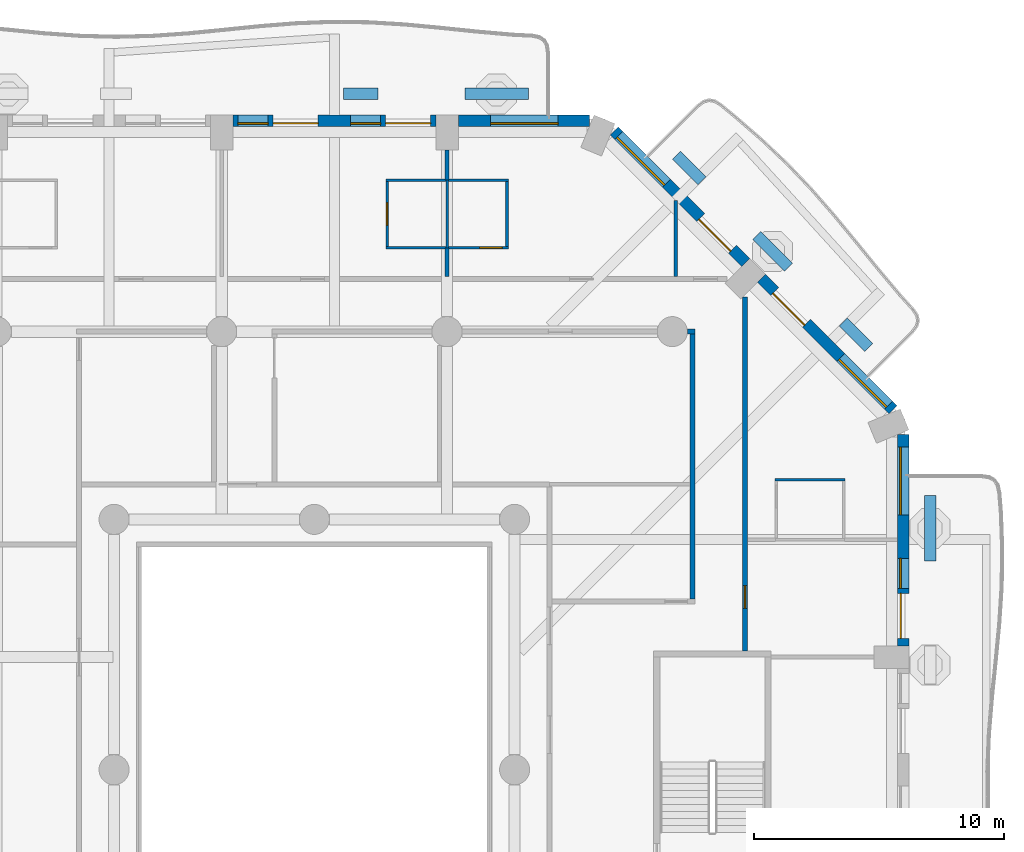
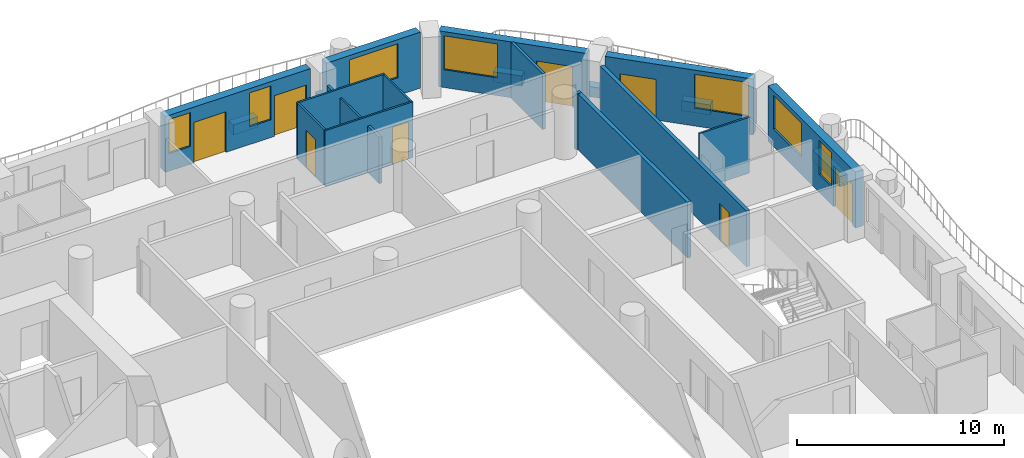
# One storey, part 9 of 19: 23 walls, 8 doors, 7 windows, 15 openings.
"""IFC4 building model written with IfcOpenShell, lengths in metres."""

from ifc_helpers import new_model, si_unit, direction, frame, frame_2d, origin, place, context, subcontext, project, spatial, rectangle, extrude, material, layer, layer_set, type_object, element, fill, save


model = new_model("IFC4")

# Units and contexts
model_context = context("Model", 3, precision=1e-05, world=origin(), true_north=direction((0.0, 1.0)))
body_context = subcontext(model_context, "Body", "Model", "MODEL_VIEW")
ifc_project = project(units=[si_unit("LENGTHUNIT", "METRE"), si_unit("AREAUNIT", "SQUARE_METRE"), si_unit("VOLUMEUNIT", "CUBIC_METRE"), si_unit("PLANEANGLEUNIT", "RADIAN"), si_unit("MASSUNIT", "GRAM", prefix="KILO")], contexts=[model_context])

# Site, building, storey
site_placement = place(None, origin())
site = spatial("IfcSite", under=ifc_project, at=site_placement, CompositionType="ELEMENT")
building_placement = place(site_placement, origin())
building = spatial("IfcBuilding", under=site, at=building_placement, Name="Cypress Arch Tower", CompositionType="ELEMENT")
storey_placement = place(building_placement, frame((0.0, 0.0, 66.300048828125)))
storey = spatial("IfcBuildingStorey", under=building, at=storey_placement, Name="L10", CompositionType="ELEMENT", Elevation=66.300048828125)

# Walls
ifc_material_1 = material(Name="Concrete C40/50, waterproofed", Category="concrete")
ifc_layer_1 = layer(ifc_material_1, 0.449951171875)
ifc_layer_set_1 = layer_set([ifc_layer_1], Name="Balcony planter wall PW450")
wall_type_1 = type_object("IfcWallType", Name="Balcony planter wall PW450", PredefinedType="SOLIDWALL", material=ifc_layer_set_1)
wall_1_placement = place(storey_placement, frame((25.60009765625, 8.335693359375, 0.0), z_axis=(0.0, 0.0, 1.0), x_axis=(0.0, 1.0, 0.0)))
element("IfcWall", 1, at=wall_1_placement, inside=storey, type_object=wall_type_1, Name="Balcony planter wall L10-A06.3", PredefinedType="SOLIDWALL", context=body_context, shape_type="SweptSolid", body=[
    extrude(rectangle(XDim=2.6142578125, YDim=0.449951171875, at=frame_2d((1.30712890625, 0.0))), origin(), (0.0, 0.0, 1.0), 0.599853515625),
])
wall_2_placement = place(storey_placement, frame((23.150390625, 16.86376953125, 0.0), z_axis=(0.0, 0.0, 1.0), x_axis=(-0.707106781187, 0.707106781187, 0.0)))
element("IfcWall", 2, at=wall_2_placement, inside=storey, type_object=wall_type_1, Name="Balcony planter wall L10-A07.1", PredefinedType="SOLIDWALL", context=body_context, shape_type="SweptSolid", body=[
    extrude(rectangle(XDim=1.44482421875, YDim=0.449951171875, at=frame_2d((0.722412109375, 0.0))), origin(), (0.0, 0.0, 1.0), 0.599853515625),
])
wall_3_placement = place(storey_placement, frame((19.9365234375, 20.07763671875, 0.0), z_axis=(0.0, 0.0, 1.0), x_axis=(-0.707106781187, 0.707106781187, 0.0)))
element("IfcWall", 3, at=wall_3_placement, inside=storey, type_object=wall_type_1, Name="Balcony planter wall L10-A07.2", PredefinedType="SOLIDWALL", context=body_context, shape_type="SweptSolid", body=[
    extrude(rectangle(XDim=1.780517578125, YDim=0.449951171875, at=frame_2d((0.89013671875, 0.0))), origin(), (0.0, 0.0, 1.0), 0.599853515625),
])
wall_4_placement = place(storey_placement, frame((16.485595703125, 23.528564453125, 0.0), z_axis=(0.0, 0.0, 1.0), x_axis=(-0.707022305137, 0.707191247145, 0.0)))
element("IfcWall", 4, at=wall_4_placement, inside=storey, type_object=wall_type_1, Name="Balcony planter wall L10-A07.3", PredefinedType="SOLIDWALL", context=body_context, shape_type="SweptSolid", body=[
    extrude(rectangle(XDim=1.445068359375, YDim=0.449951171875, at=frame_2d((0.72265625, 0.0))), origin(), (0.0, 0.0, 1.0), 0.599853515625),
])
wall_5_placement = place(storey_placement, frame((9.550048828125, 27.0, 0.0), z_axis=(0.0, 0.0, 1.0), x_axis=(-1.0, 0.0, 0.0)))
element("IfcWall", 5, at=wall_5_placement, inside=storey, type_object=wall_type_1, Name="Balcony planter wall L10-A08.1", PredefinedType="SOLIDWALL", context=body_context, shape_type="SweptSolid", body=[
    extrude(rectangle(XDim=2.53759765625, YDim=0.449951171875, at=frame_2d((1.268798828125, 0.0))), origin(), (0.0, 0.0, 1.0), 0.599853515625),
])
wall_6_placement = place(storey_placement, frame((3.550048828125, 27.0, 0.0), z_axis=(0.0, 0.0, 1.0), x_axis=(-1.0, 0.0, 0.0)))
element("IfcWall", 6, at=wall_6_placement, inside=storey, type_object=wall_type_1, Name="Balcony planter wall L10-A08.2", PredefinedType="SOLIDWALL", context=body_context, shape_type="SweptSolid", body=[
    extrude(rectangle(XDim=1.375, YDim=0.449951171875, at=frame_2d((0.6875, 0.0))), origin(), (0.0, 0.0, 1.0), 0.599853515625),
])

# Wall, openings, door, windows
ifc_material_2 = material(Name="Brick (red buff blend)", Category="masonry")
ifc_layer_2 = layer(ifc_material_2, 0.449951171875)
ifc_layer_set_2 = layer_set([ifc_layer_2], Name="Brick pier and spandrel wall BW450")
wall_type_2 = type_object("IfcWallType", Name="Brick pier and spandrel wall BW450", PredefinedType="SOLIDWALL", material=ifc_layer_set_2)
wall_7_placement = place(storey_placement, frame((24.52490234375, 4.949951171875, 0.0), z_axis=(0.0, 0.0, 1.0), x_axis=(0.0, 1.0, 0.0)))
wall_7 = element("IfcWall", 7, at=wall_7_placement, inside=storey, type_object=wall_type_2, Name="Brick wall L10 A06.3", PredefinedType="SOLIDWALL", context=body_context, shape_type="SweptSolid", body=[
    extrude(rectangle(XDim=8.438720703125, YDim=0.449951171875, at=frame_2d((4.21923828125, 0.0))), origin(), (0.0, 0.0, 1.0), 3.300048828125),
])
opening_1_placement = place(wall_7_placement, frame((0.2939453125, 0.0, 0.0)))
opening_1 = element("IfcOpeningElement", 8, at=opening_1_placement, cuts=wall_7, Name="Opening D-L10-A06.3.1", PredefinedType="OPENING", context=body_context, shape_type="SweptSolid", body=[
    extrude(rectangle(XDim=1.800048828125, YDim=2.39990234375, at=frame_2d((0.89990234375, 1.199951171875))), frame((0.0, 0.23486328125, 0.0), z_axis=(0.0, -1.0, 0.0), x_axis=(1.0, 0.0, 0.0)), (0.0, 0.0, 1.0), 0.469970703125),
])
opening_2_placement = place(wall_7_placement, frame((2.2939453125, 0.0, 1.050048828125)))
opening_2 = element("IfcOpeningElement", 9, at=opening_2_placement, cuts=wall_7, Name="Opening W120HD", PredefinedType="OPENING", context=body_context, shape_type="SweptSolid", body=[
    extrude(rectangle(XDim=1.199951171875, YDim=2.0, at=frame_2d((0.60009765625, 1.0))), frame((0.0, 0.23486328125, 0.0), z_axis=(0.0, -1.0, 0.0), x_axis=(1.0, 0.0, 0.0)), (0.0, 0.0, 1.0), 0.469970703125),
])
opening_3_placement = place(wall_7_placement, frame((5.231689453125, 0.0, 1.050048828125)))
opening_3 = element("IfcOpeningElement", 10, at=opening_3_placement, cuts=wall_7, Name="Opening W270HD", PredefinedType="OPENING", context=body_context, shape_type="SweptSolid", body=[
    extrude(rectangle(XDim=2.699951171875, YDim=2.0, at=frame_2d((1.35009765625, 1.0))), frame((0.0, 0.23486328125, 0.0), z_axis=(0.0, -1.0, 0.0), x_axis=(1.0, 0.0, 0.0)), (0.0, 0.0, 1.0), 0.469970703125),
])
ifc_material_3 = material(Name="Anodised aluminium, bronze finish, laminated low-emissivity double glazing, large-missile impact rated", Category="aluminium")
door_type_1 = type_object("IfcDoorType", Name="Balcony sliding door 1800x2400", OperationType="SLIDING_TO_LEFT", PredefinedType="DOOR", material=ifc_material_3)
door_1_placement = place(opening_1_placement, origin())
door_1 = element("IfcDoor", 11, at=door_1_placement, inside=storey, type_object=door_type_1, Name="Balcony door L10 A06.3.1", OperationType="SLIDING_TO_LEFT", OverallHeight=2.39990234375, OverallWidth=1.800048828125, PredefinedType="DOOR", context=body_context, shape_type="SweptSolid", body=[
    extrude(rectangle(XDim=1.800048828125, YDim=2.39990234375, at=frame_2d((0.89990234375, 1.199951171875))), frame((0.0, 0.1298828125, 0.0), z_axis=(0.0, -1.0, 0.0), x_axis=(1.0, 0.0, 0.0)), (0.0, 0.0, 1.0), 0.050048828125),
])
fill(opening_1, door_1)
ifc_material_4 = material(Name="Anodised aluminium, bronze finish, laminated low-emissivity double glazing, large-missile impact rated", Category="aluminium")
window_type_1 = type_object("IfcWindowType", Name="Window Hotel 1200x2000 debris-rated", PartitioningType="SINGLE_PANEL", PredefinedType="WINDOW", material=ifc_material_4)
window_1_placement = place(opening_2_placement, origin())
window_1 = element("IfcWindow", 12, at=window_1_placement, inside=storey, type_object=window_type_1, Name="Window L10 A06.3.1", OverallHeight=2.0, OverallWidth=1.199951171875, PartitioningType="SINGLE_PANEL", PredefinedType="WINDOW", context=body_context, shape_type="SweptSolid", body=[
    extrude(rectangle(XDim=1.199951171875, YDim=2.0, at=frame_2d((0.60009765625, 1.0))), frame((0.0, 0.135009765625, 0.0), z_axis=(0.0, -1.0, 0.0), x_axis=(1.0, 0.0, 0.0)), (0.0, 0.0, 1.0), 0.06005859375),
])
fill(opening_2, window_1)
ifc_material_5 = material(Name="Anodised aluminium, bronze finish, laminated low-emissivity double glazing, large-missile impact rated", Category="aluminium")
window_type_2 = type_object("IfcWindowType", Name="Window Hotel 2700x2000 debris-rated", PartitioningType="SINGLE_PANEL", PredefinedType="WINDOW", material=ifc_material_5)
window_2_placement = place(opening_3_placement, origin())
window_2 = element("IfcWindow", 13, at=window_2_placement, inside=storey, type_object=window_type_2, Name="Window L10 A06.3.2", OverallHeight=2.0, OverallWidth=2.699951171875, PartitioningType="SINGLE_PANEL", PredefinedType="WINDOW", context=body_context, shape_type="SweptSolid", body=[
    extrude(rectangle(XDim=2.699951171875, YDim=2.0, at=frame_2d((1.35009765625, 1.0))), frame((0.0, 0.135009765625, 0.0), z_axis=(0.0, -1.0, 0.0), x_axis=(1.0, 0.0, 0.0)), (0.0, 0.0, 1.0), 0.06005859375),
])
fill(opening_3, window_2)

# Wall, openings, door, window
wall_8_placement = place(storey_placement, frame((24.11474609375, 14.379150390625, 0.0), z_axis=(0.0, 0.0, 1.0), x_axis=(-0.707106781187, 0.707106781187, 0.0)))
wall_8 = element("IfcWall", 14, at=wall_8_placement, inside=storey, type_object=wall_type_2, Name="Brick wall L10 A07.0", PredefinedType="SOLIDWALL", context=body_context, shape_type="SweptSolid", body=[
    extrude(rectangle(XDim=7.423828125, YDim=0.449951171875, at=frame_2d((3.7119140625, 0.0))), origin(), (0.0, 0.0, 1.0), 3.300048828125),
])
opening_4_placement = place(wall_8_placement, frame((0.253173828125, 0.0, 1.050048828125)))
opening_4 = element("IfcOpeningElement", 15, at=opening_4_placement, cuts=wall_8, Name="Opening W270HD", PredefinedType="OPENING", context=body_context, shape_type="SweptSolid", body=[
    extrude(rectangle(XDim=2.699951171875, YDim=2.0, at=frame_2d((1.35009765625, 1.0))), frame((0.0, 0.23486328125, 0.0), z_axis=(0.0, -1.0, 0.0), x_axis=(1.0, 0.0, 0.0)), (0.0, 0.0, 1.0), 0.469970703125),
])
opening_5_placement = place(wall_8_placement, frame((4.8837890625, 0.0, 0.0)))
opening_5 = element("IfcOpeningElement", 16, at=opening_5_placement, cuts=wall_8, Name="Opening D-L10-A07.0.2", PredefinedType="OPENING", context=body_context, shape_type="SweptSolid", body=[
    extrude(rectangle(XDim=1.800048828125, YDim=2.39990234375, at=frame_2d((0.89990234375, 1.199951171875))), frame((0.0, 0.23486328125, 0.0), z_axis=(0.0, -1.0, 0.0), x_axis=(1.0, 0.0, 0.0)), (0.0, 0.0, 1.0), 0.469970703125),
])
door_2_placement = place(opening_5_placement, origin())
door_2 = element("IfcDoor", 17, at=door_2_placement, inside=storey, type_object=door_type_1, Name="Balcony door L10 A07.0.2", OperationType="SLIDING_TO_LEFT", OverallHeight=2.39990234375, OverallWidth=1.800048828125, PredefinedType="DOOR", context=body_context, shape_type="SweptSolid", body=[
    extrude(rectangle(XDim=1.800048828125, YDim=2.39990234375, at=frame_2d((0.89990234375, 1.199951171875))), frame((0.0, 0.1298828125, 0.0), z_axis=(0.0, -1.0, 0.0), x_axis=(1.0, 0.0, 0.0)), (0.0, 0.0, 1.0), 0.050048828125),
])
fill(opening_5, door_2)
window_3_placement = place(opening_4_placement, origin())
window_3 = element("IfcWindow", 18, at=window_3_placement, inside=storey, type_object=window_type_2, Name="Window L10 A07.0.1", OverallHeight=2.0, OverallWidth=2.699951171875, PartitioningType="SINGLE_PANEL", PredefinedType="WINDOW", context=body_context, shape_type="SweptSolid", body=[
    extrude(rectangle(XDim=2.699951171875, YDim=2.0, at=frame_2d((1.35009765625, 1.0))), frame((0.0, 0.135009765625, 0.0), z_axis=(0.0, -1.0, 0.0), x_axis=(1.0, 0.0, 0.0)), (0.0, 0.0, 1.0), 0.06005859375),
])
fill(opening_4, window_3)

wall_9_placement = place(storey_placement, frame((18.228759765625, 20.26513671875, 0.0), z_axis=(0.0, 0.0, 1.0), x_axis=(-0.707106781187, 0.707106781187, 0.0)))
wall_9 = element("IfcWall", 19, at=wall_9_placement, inside=storey, type_object=wall_type_2, Name="Brick wall L10 A07.1", PredefinedType="SOLIDWALL", context=body_context, shape_type="SweptSolid", body=[
    extrude(rectangle(XDim=7.423828125, YDim=0.449951171875, at=frame_2d((3.7119140625, 0.0))), origin(), (0.0, 0.0, 1.0), 3.300048828125),
])
opening_6_placement = place(wall_9_placement, frame((0.740234375, 0.0, 0.0)))
opening_6 = element("IfcOpeningElement", 20, at=opening_6_placement, cuts=wall_9, Name="Opening D-L10-A07.1.1", PredefinedType="OPENING", context=body_context, shape_type="SweptSolid", body=[
    extrude(rectangle(XDim=1.800048828125, YDim=2.39990234375, at=frame_2d((0.89990234375, 1.199951171875))), frame((0.0, 0.23486328125, 0.0), z_axis=(0.0, -1.0, 0.0), x_axis=(1.0, 0.0, 0.0)), (0.0, 0.0, 1.0), 0.469970703125),
])
opening_7_placement = place(wall_9_placement, frame((4.470703125, 0.0, 1.050048828125)))
opening_7 = element("IfcOpeningElement", 21, at=opening_7_placement, cuts=wall_9, Name="Opening W270HD", PredefinedType="OPENING", context=body_context, shape_type="SweptSolid", body=[
    extrude(rectangle(XDim=2.699951171875, YDim=2.0, at=frame_2d((1.35009765625, 1.0))), frame((0.0, 0.23486328125, 0.0), z_axis=(0.0, -1.0, 0.0), x_axis=(1.0, 0.0, 0.0)), (0.0, 0.0, 1.0), 0.469970703125),
])
door_3_placement = place(opening_6_placement, origin())
door_3 = element("IfcDoor", 22, at=door_3_placement, inside=storey, type_object=door_type_1, Name="Balcony door L10 A07.1.1", OperationType="SLIDING_TO_LEFT", OverallHeight=2.39990234375, OverallWidth=1.800048828125, PredefinedType="DOOR", context=body_context, shape_type="SweptSolid", body=[
    extrude(rectangle(XDim=1.800048828125, YDim=2.39990234375, at=frame_2d((0.89990234375, 1.199951171875))), frame((0.0, 0.1298828125, 0.0), z_axis=(0.0, -1.0, 0.0), x_axis=(1.0, 0.0, 0.0)), (0.0, 0.0, 1.0), 0.050048828125),
])
fill(opening_6, door_3)
window_4_placement = place(opening_7_placement, origin())
window_4 = element("IfcWindow", 23, at=window_4_placement, inside=storey, type_object=window_type_2, Name="Window L10 A07.1.2", OverallHeight=2.0, OverallWidth=2.699951171875, PartitioningType="SINGLE_PANEL", PredefinedType="WINDOW", context=body_context, shape_type="SweptSolid", body=[
    extrude(rectangle(XDim=2.699951171875, YDim=2.0, at=frame_2d((1.35009765625, 1.0))), frame((0.0, 0.135009765625, 0.0), z_axis=(0.0, -1.0, 0.0), x_axis=(1.0, 0.0, 0.0)), (0.0, 0.0, 1.0), 0.06005859375),
])
fill(opening_7, window_4)

# Wall, opening, window
wall_10_placement = place(storey_placement, frame((11.98876953125, 25.925048828125, 0.0), z_axis=(0.0, 0.0, 1.0), x_axis=(-1.0, 0.0, 0.0)))
wall_10 = element("IfcWall", 24, at=wall_10_placement, inside=storey, type_object=wall_type_2, Name="Brick wall L10 A08.0", PredefinedType="SOLIDWALL", context=body_context, shape_type="SweptSolid", body=[
    extrude(rectangle(XDim=5.23876953125, YDim=0.449951171875, at=frame_2d((2.619384765625, 0.0))), origin(), (0.0, 0.0, 1.0), 3.300048828125),
])
opening_8_placement = place(wall_10_placement, frame((1.250732421875, 0.0, 1.050048828125)))
opening_8 = element("IfcOpeningElement", 25, at=opening_8_placement, cuts=wall_10, Name="Opening W270HD", PredefinedType="OPENING", context=body_context, shape_type="SweptSolid", body=[
    extrude(rectangle(XDim=2.699951171875, YDim=2.0, at=frame_2d((1.35009765625, 1.0))), frame((0.0, 0.23486328125, 0.0), z_axis=(0.0, -1.0, 0.0), x_axis=(1.0, 0.0, 0.0)), (0.0, 0.0, 1.0), 0.469970703125),
])
window_5_placement = place(opening_8_placement, origin())
window_5 = element("IfcWindow", 26, at=window_5_placement, inside=storey, type_object=window_type_2, Name="Window L10 A08.0.1", OverallHeight=2.0, OverallWidth=2.699951171875, PartitioningType="SINGLE_PANEL", PredefinedType="WINDOW", context=body_context, shape_type="SweptSolid", body=[
    extrude(rectangle(XDim=2.699951171875, YDim=2.0, at=frame_2d((1.35009765625, 1.0))), frame((0.0, 0.135009765625, 0.0), z_axis=(0.0, -1.0, 0.0), x_axis=(1.0, 0.0, 0.0)), (0.0, 0.0, 1.0), 0.06005859375),
])
fill(opening_8, window_5)

# Wall, openings, doors, windows
wall_11_placement = place(storey_placement, frame((5.85009765625, 25.925048828125, 0.0), z_axis=(0.0, 0.0, 1.0), x_axis=(-1.0, 0.0, 0.0)))
wall_11 = element("IfcWall", 27, at=wall_11_placement, inside=storey, type_object=wall_type_2, Name="Brick wall L10 A08.1", PredefinedType="SOLIDWALL", context=body_context, shape_type="SweptSolid", body=[
    extrude(rectangle(XDim=8.10009765625, YDim=0.449951171875, at=frame_2d((4.050048828125, 0.0))), origin(), (0.0, 0.0, 1.0), 3.300048828125),
])
opening_9_placement = place(wall_11_placement, frame((0.199951171875, 0.0, 0.0)))
opening_9 = element("IfcOpeningElement", 28, at=opening_9_placement, cuts=wall_11, Name="Opening D-L10-A08.1.1", PredefinedType="OPENING", context=body_context, shape_type="SweptSolid", body=[
    extrude(rectangle(XDim=1.800048828125, YDim=2.39990234375, at=frame_2d((0.89990234375, 1.199951171875))), frame((0.0, 0.23486328125, 0.0), z_axis=(0.0, -1.0, 0.0), x_axis=(1.0, 0.0, 0.0)), (0.0, 0.0, 1.0), 0.469970703125),
])
opening_10_placement = place(wall_11_placement, frame((2.199951171875, 0.0, 1.050048828125)))
opening_10 = element("IfcOpeningElement", 29, at=opening_10_placement, cuts=wall_11, Name="Opening W120HD", PredefinedType="OPENING", context=body_context, shape_type="SweptSolid", body=[
    extrude(rectangle(XDim=1.199951171875, YDim=2.0, at=frame_2d((0.60009765625, 1.0))), frame((0.0, 0.23486328125, 0.0), z_axis=(0.0, -1.0, 0.0), x_axis=(1.0, 0.0, 0.0)), (0.0, 0.0, 1.0), 0.469970703125),
])
opening_11_placement = place(wall_11_placement, frame((4.699951171875, 0.0, 0.0)))
opening_11 = element("IfcOpeningElement", 30, at=opening_11_placement, cuts=wall_11, Name="Opening D-L10-A08.1.2", PredefinedType="OPENING", context=body_context, shape_type="SweptSolid", body=[
    extrude(rectangle(XDim=1.800048828125, YDim=2.39990234375, at=frame_2d((0.89990234375, 1.199951171875))), frame((0.0, 0.23486328125, 0.0), z_axis=(0.0, -1.0, 0.0), x_axis=(1.0, 0.0, 0.0)), (0.0, 0.0, 1.0), 0.469970703125),
])
opening_12_placement = place(wall_11_placement, frame((6.699951171875, 0.0, 1.050048828125)))
opening_12 = element("IfcOpeningElement", 31, at=opening_12_placement, cuts=wall_11, Name="Opening W120HD", PredefinedType="OPENING", context=body_context, shape_type="SweptSolid", body=[
    extrude(rectangle(XDim=1.199951171875, YDim=2.0, at=frame_2d((0.60009765625, 1.0))), frame((0.0, 0.23486328125, 0.0), z_axis=(0.0, -1.0, 0.0), x_axis=(1.0, 0.0, 0.0)), (0.0, 0.0, 1.0), 0.469970703125),
])
door_4_placement = place(opening_9_placement, origin())
door_4 = element("IfcDoor", 32, at=door_4_placement, inside=storey, type_object=door_type_1, Name="Balcony door L10 A08.1.1", OperationType="SLIDING_TO_LEFT", OverallHeight=2.39990234375, OverallWidth=1.800048828125, PredefinedType="DOOR", context=body_context, shape_type="SweptSolid", body=[
    extrude(rectangle(XDim=1.800048828125, YDim=2.39990234375, at=frame_2d((0.89990234375, 1.199951171875))), frame((0.0, 0.1298828125, 0.0), z_axis=(0.0, -1.0, 0.0), x_axis=(1.0, 0.0, 0.0)), (0.0, 0.0, 1.0), 0.050048828125),
])
fill(opening_9, door_4)
door_5_placement = place(opening_11_placement, origin())
door_5 = element("IfcDoor", 33, at=door_5_placement, inside=storey, type_object=door_type_1, Name="Balcony door L10 A08.1.2", OperationType="SLIDING_TO_LEFT", OverallHeight=2.39990234375, OverallWidth=1.800048828125, PredefinedType="DOOR", context=body_context, shape_type="SweptSolid", body=[
    extrude(rectangle(XDim=1.800048828125, YDim=2.39990234375, at=frame_2d((0.89990234375, 1.199951171875))), frame((0.0, 0.1298828125, 0.0), z_axis=(0.0, -1.0, 0.0), x_axis=(1.0, 0.0, 0.0)), (0.0, 0.0, 1.0), 0.050048828125),
])
fill(opening_11, door_5)
window_6_placement = place(opening_10_placement, origin())
window_6 = element("IfcWindow", 34, at=window_6_placement, inside=storey, type_object=window_type_1, Name="Window L10 A08.1.1", OverallHeight=2.0, OverallWidth=1.199951171875, PartitioningType="SINGLE_PANEL", PredefinedType="WINDOW", context=body_context, shape_type="SweptSolid", body=[
    extrude(rectangle(XDim=1.199951171875, YDim=2.0, at=frame_2d((0.60009765625, 1.0))), frame((0.0, 0.135009765625, 0.0), z_axis=(0.0, -1.0, 0.0), x_axis=(1.0, 0.0, 0.0)), (0.0, 0.0, 1.0), 0.06005859375),
])
fill(opening_10, window_6)
window_7_placement = place(opening_12_placement, origin())
window_7 = element("IfcWindow", 35, at=window_7_placement, inside=storey, type_object=window_type_1, Name="Window L10 A08.1.2", OverallHeight=2.0, OverallWidth=1.199951171875, PartitioningType="SINGLE_PANEL", PredefinedType="WINDOW", context=body_context, shape_type="SweptSolid", body=[
    extrude(rectangle(XDim=1.199951171875, YDim=2.0, at=frame_2d((0.60009765625, 1.0))), frame((0.0, 0.135009765625, 0.0), z_axis=(0.0, -1.0, 0.0), x_axis=(1.0, 0.0, 0.0)), (0.0, 0.0, 1.0), 0.06005859375),
])
fill(opening_12, window_7)

# Walls
ifc_material_6 = material(Name="Concrete blockwork, plastered, rated", Category="masonry")
ifc_layer_3 = layer(ifc_material_6, 0.199951171875)
ifc_layer_set_3 = layer_set([ifc_layer_3], Name="Corridor wall FW200")
wall_type_3 = type_object("IfcWallType", Name="Corridor wall FW200", PredefinedType="PARTITIONING", material=ifc_layer_set_3)
wall_12_placement = place(storey_placement, frame((15.89990234375, 17.5, 0.0), z_axis=(0.0, 0.0, 1.0), x_axis=(1.0, 0.0, 0.0)))
element("IfcWall", 36, at=wall_12_placement, inside=storey, type_object=wall_type_3, Name="Corridor wall", PredefinedType="PARTITIONING", context=body_context, shape_type="SweptSolid", body=[
    extrude(rectangle(XDim=0.300048828125, YDim=0.199951171875, at=frame_2d((0.14990234375, 0.0))), origin(), (0.0, 0.0, 1.0), 3.300048828125),
])
wall_13_placement = place(storey_placement, frame((16.10009765625, 6.824951171875, 0.0), z_axis=(0.0, 0.0, 1.0), x_axis=(0.0, 1.0, 0.0)))
element("IfcWall", 37, at=wall_13_placement, inside=storey, type_object=wall_type_3, Name="Corridor wall", PredefinedType="PARTITIONING", context=body_context, shape_type="SweptSolid", body=[
    extrude(rectangle(XDim=10.574951171875, YDim=0.199951171875, at=frame_2d((5.28759765625, 0.0))), origin(), (0.0, 0.0, 1.0), 3.300048828125),
])

# Wall, opening, door
wall_14_placement = place(storey_placement, frame((18.199951171875, 4.75, 0.0), z_axis=(0.0, 0.0, 1.0), x_axis=(0.0, 1.0, 0.0)))
wall_14 = element("IfcWall", 38, at=wall_14_placement, inside=storey, type_object=wall_type_3, Name="Corridor wall", PredefinedType="PARTITIONING", context=body_context, shape_type="SweptSolid", body=[
    extrude(rectangle(XDim=14.133544921875, YDim=0.199951171875, at=frame_2d((7.06689453125, 0.0))), origin(), (0.0, 0.0, 1.0), 3.300048828125),
])
opening_13_placement = place(wall_14_placement, frame((1.699951171875, 0.0, 0.0)))
opening_13 = element("IfcOpeningElement", 39, at=opening_13_placement, cuts=wall_14, Name="Opening D05", PredefinedType="OPENING", context=body_context, shape_type="SweptSolid", body=[
    extrude(rectangle(XDim=0.89990234375, YDim=2.199951171875, at=frame_2d((0.449951171875, 1.10009765625))), frame((0.0, 0.10986328125, 0.0), z_axis=(0.0, -1.0, 0.0), x_axis=(1.0, 0.0, 0.0)), (0.0, 0.0, 1.0), 0.219970703125),
])
ifc_material_7 = material(Name="Timber flush door", Category="wood")
door_type_2 = type_object("IfcDoorType", Name="Service door D05 900x2200", OperationType="SINGLE_SWING_LEFT", PredefinedType="DOOR", material=ifc_material_7)
door_6_placement = place(opening_13_placement, origin())
door_6 = element("IfcDoor", 40, at=door_6_placement, inside=storey, type_object=door_type_2, Name="Service door", OperationType="SINGLE_SWING_RIGHT", OverallHeight=2.199951171875, OverallWidth=0.89990234375, PredefinedType="DOOR", context=body_context, shape_type="SweptSolid", body=[
    extrude(rectangle(XDim=0.89990234375, YDim=2.199951171875, at=frame_2d((0.449951171875, 1.10009765625))), frame((0.0, 0.02490234375, 0.0), z_axis=(0.0, -1.0, 0.0), x_axis=(1.0, 0.0, 0.0)), (0.0, 0.0, 1.0), 0.050048828125),
])
fill(opening_13, door_6)

# Walls
ifc_material_8 = material(Name="Blockwork, plastered both sides", Category="masonry")
ifc_layer_4 = layer(ifc_material_8, 0.14990234375)
ifc_layer_set_4 = layer_set([ifc_layer_4], Name="Partition PW150")
wall_type_4 = type_object("IfcWallType", Name="Partition PW150", PredefinedType="PARTITIONING", material=ifc_layer_set_4)
wall_15_placement = place(storey_placement, frame((6.300048828125, 19.699951171875, 0.0), z_axis=(0.0, 0.0, 1.0), x_axis=(0.0, 1.0, 0.0)))
element("IfcWall", 41, at=wall_15_placement, inside=storey, type_object=wall_type_4, Name="Partition", PredefinedType="PARTITIONING", context=body_context, shape_type="SweptSolid", body=[
    extrude(rectangle(XDim=1.150146484375, YDim=0.14990234375, at=frame_2d((0.5751953125, 0.0))), origin(), (0.0, 0.0, 1.0), 2.75),
])
wall_16_placement = place(storey_placement, frame((6.300048828125, 23.550048828125, 0.0), z_axis=(0.0, 0.0, 1.0), x_axis=(0.0, 1.0, 0.0)))
element("IfcWall", 42, at=wall_16_placement, inside=storey, type_object=wall_type_4, Name="Partition", PredefinedType="PARTITIONING", context=body_context, shape_type="SweptSolid", body=[
    extrude(rectangle(XDim=1.199951171875, YDim=0.14990234375, at=frame_2d((0.60009765625, 0.0))), origin(), (0.0, 0.0, 1.0), 2.75),
])
wall_17_placement = place(storey_placement, frame((15.431884765625, 19.699951171875, 0.0), z_axis=(0.0, 0.0, 1.0), x_axis=(0.0, 1.0, 0.0)))
element("IfcWall", 43, at=wall_17_placement, inside=storey, type_object=wall_type_4, Name="Partition", PredefinedType="PARTITIONING", context=body_context, shape_type="SweptSolid", body=[
    extrude(rectangle(XDim=3.043701171875, YDim=0.14990234375, at=frame_2d((1.52197265625, 0.0))), origin(), (0.0, 0.0, 1.0), 3.300048828125),
])

# Wall, opening, door
ifc_material_9 = material(Name="Moisture resistant board on steel studs, tiled", Category="steel")
ifc_layer_5 = layer(ifc_material_9, 0.10009765625)
ifc_layer_set_5 = layer_set([ifc_layer_5], Name="Wet wall PW100")
wall_type_5 = type_object("IfcWallType", Name="Wet wall PW100", PredefinedType="PARTITIONING", material=ifc_layer_set_5)
wall_18_placement = place(storey_placement, frame((3.904052734375, 20.89990234375, 0.0), z_axis=(0.0, 0.0, 1.0), x_axis=(0.0, 1.0, 0.0)))
wall_18 = element("IfcWall", 44, at=wall_18_placement, inside=storey, type_object=wall_type_5, Name="Wet wall", PredefinedType="PARTITIONING", context=body_context, shape_type="SweptSolid", body=[
    extrude(rectangle(XDim=2.60009765625, YDim=0.10009765625, at=frame_2d((1.300048828125, 0.0))), origin(), (0.0, 0.0, 1.0), 3.300048828125),
])
opening_14_placement = place(wall_18_placement, frame((0.85009765625, 0.0, 0.0)))
opening_14 = element("IfcOpeningElement", 45, at=opening_14_placement, cuts=wall_18, Name="Opening D03", PredefinedType="OPENING", context=body_context, shape_type="SweptSolid", body=[
    extrude(rectangle(XDim=0.89990234375, YDim=2.199951171875, at=frame_2d((0.449951171875, 1.10009765625))), frame((0.0, 0.06005859375, 0.0), z_axis=(0.0, -1.0, 0.0), x_axis=(1.0, 0.0, 0.0)), (0.0, 0.0, 1.0), 0.1201171875),
])
ifc_material_10 = material(Name="Timber flush door, moisture resistant", Category="wood")
door_type_3 = type_object("IfcDoorType", Name="Bathroom door D03 900x2200", OperationType="SINGLE_SWING_LEFT", PredefinedType="DOOR", material=ifc_material_10)
door_7_placement = place(opening_14_placement, origin())
door_7 = element("IfcDoor", 46, at=door_7_placement, inside=storey, type_object=door_type_3, Name="Bathroom door", OperationType="SINGLE_SWING_RIGHT", OverallHeight=2.199951171875, OverallWidth=0.89990234375, PredefinedType="DOOR", context=body_context, shape_type="SweptSolid", body=[
    extrude(rectangle(XDim=0.89990234375, YDim=2.199951171875, at=frame_2d((0.449951171875, 1.10009765625))), frame((0.0, 0.02490234375, 0.0), z_axis=(0.0, -1.0, 0.0), x_axis=(1.0, 0.0, 0.0)), (0.0, 0.0, 1.0), 0.050048828125),
])
fill(opening_14, door_7)

wall_19_placement = place(storey_placement, frame((3.85400390625, 20.85009765625, 0.0), z_axis=(0.0, 0.0, 1.0), x_axis=(1.0, 0.0, 0.0)))
wall_19 = element("IfcWall", 47, at=wall_19_placement, inside=storey, type_object=wall_type_5, Name="Wet wall", PredefinedType="PARTITIONING", context=body_context, shape_type="SweptSolid", body=[
    extrude(rectangle(XDim=4.89208984375, YDim=0.10009765625, at=frame_2d((2.446044921875, 0.0))), origin(), (0.0, 0.0, 1.0), 3.300048828125),
])
opening_15_placement = place(wall_19_placement, frame((3.75, 0.0, 0.0)))
opening_15 = element("IfcOpeningElement", 48, at=opening_15_placement, cuts=wall_19, Name="Opening D03", PredefinedType="OPENING", context=body_context, shape_type="SweptSolid", body=[
    extrude(rectangle(XDim=0.89990234375, YDim=2.199951171875, at=frame_2d((0.449951171875, 1.10009765625))), frame((0.0, 0.06005859375, 0.0), z_axis=(0.0, -1.0, 0.0), x_axis=(1.0, 0.0, 0.0)), (0.0, 0.0, 1.0), 0.1201171875),
])
door_8_placement = place(opening_15_placement, origin())
door_8 = element("IfcDoor", 49, at=door_8_placement, inside=storey, type_object=door_type_3, Name="Bathroom door", OperationType="SINGLE_SWING_RIGHT", OverallHeight=2.199951171875, OverallWidth=0.89990234375, PredefinedType="DOOR", context=body_context, shape_type="SweptSolid", body=[
    extrude(rectangle(XDim=0.89990234375, YDim=2.199951171875, at=frame_2d((0.449951171875, 1.10009765625))), frame((0.0, 0.02490234375, 0.0), z_axis=(0.0, -1.0, 0.0), x_axis=(1.0, 0.0, 0.0)), (0.0, 0.0, 1.0), 0.050048828125),
])
fill(opening_15, door_8)

# Walls
wall_20_placement = place(storey_placement, frame((3.85400390625, 23.550048828125, 0.0), z_axis=(0.0, 0.0, 1.0), x_axis=(1.0, 0.0, 0.0)))
element("IfcWall", 50, at=wall_20_placement, inside=storey, type_object=wall_type_5, Name="Wet wall", PredefinedType="PARTITIONING", context=body_context, shape_type="SweptSolid", body=[
    extrude(rectangle(XDim=4.89208984375, YDim=0.10009765625, at=frame_2d((2.446044921875, 0.0))), origin(), (0.0, 0.0, 1.0), 3.300048828125),
])
wall_21_placement = place(storey_placement, frame((6.300048828125, 20.85009765625, 0.0), z_axis=(0.0, 0.0, 1.0), x_axis=(0.0, 1.0, 0.0)))
element("IfcWall", 51, at=wall_21_placement, inside=storey, type_object=wall_type_5, Name="Wet wall", PredefinedType="PARTITIONING", context=body_context, shape_type="SweptSolid", body=[
    extrude(rectangle(XDim=2.699951171875, YDim=0.10009765625, at=frame_2d((1.35009765625, 0.0))), origin(), (0.0, 0.0, 1.0), 2.75),
])
wall_22_placement = place(storey_placement, frame((8.696044921875, 20.89990234375, 0.0), z_axis=(0.0, 0.0, 1.0), x_axis=(0.0, 1.0, 0.0)))
element("IfcWall", 52, at=wall_22_placement, inside=storey, type_object=wall_type_5, Name="Wet wall", PredefinedType="PARTITIONING", context=body_context, shape_type="SweptSolid", body=[
    extrude(rectangle(XDim=2.60009765625, YDim=0.10009765625, at=frame_2d((1.300048828125, 0.0))), origin(), (0.0, 0.0, 1.0), 3.300048828125),
])
wall_23_placement = place(storey_placement, frame((19.39990234375, 11.5859375, 0.0), z_axis=(0.0, 0.0, 1.0), x_axis=(1.0, 0.0, 0.0)))
element("IfcWall", 53, at=wall_23_placement, inside=storey, type_object=wall_type_5, Name="Wet wall", PredefinedType="PARTITIONING", context=body_context, shape_type="SweptSolid", body=[
    extrude(rectangle(XDim=2.800048828125, YDim=0.10009765625, at=frame_2d((1.39990234375, 0.0))), origin(), (0.0, 0.0, 1.0), 3.300048828125),
])

save(model, "model.ifc")
